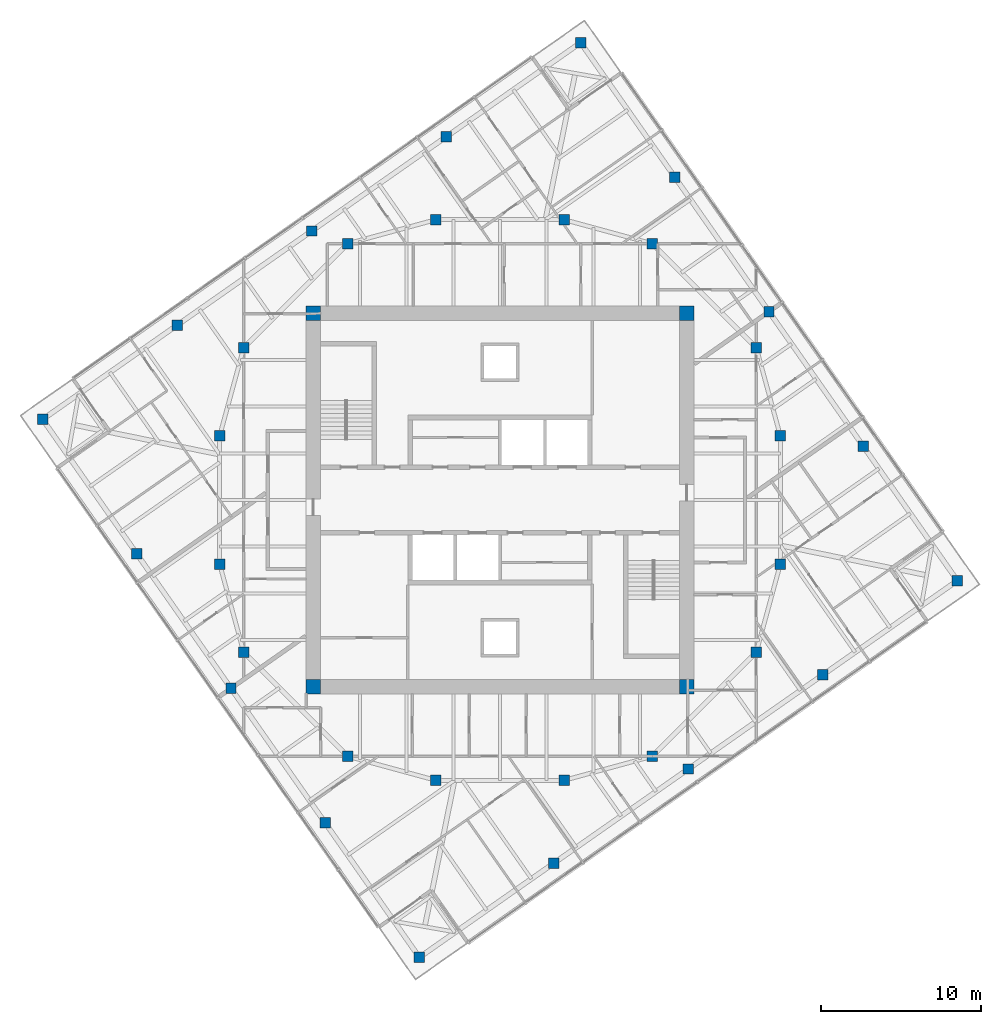
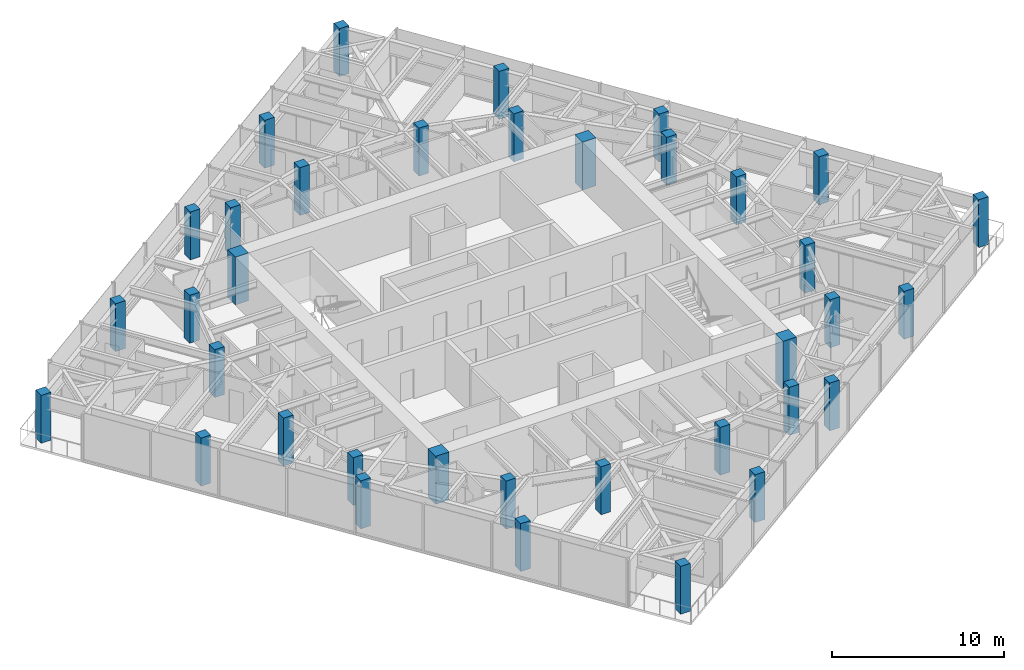
# One storey, part 1 of 12: 36 columns.
"""IFC4 building model written with IfcOpenShell, lengths in metres."""

import ifcopenshell
import ifcopenshell.guid

model = None  # the IFC model being written
_history = None  # IfcOwnerHistory: only IFC2X3 demands one
_inside = {}  # id of a spatial element -> (the spatial element, [elements in it])
_under = {}  # id of a project, library or spatial element -> (it, [spatial elements below it])
_declared = {}  # id of a project -> (the project, [libraries it declares])
_typed = {}  # id of a type object -> (the type object, [elements of that type])
_made_of = {}  # id of a material, layer set ... -> (it, [elements and type objects made of it])


def new_model(schema):
    """Start an empty IFC model of exactly this schema.

    Asked for "IFC4X3", IfcOpenShell would pick the latest addendum, in which some entities
    have other attributes; the version numbers below select the first issue.
    IFC2X3 requires an IfcOwnerHistory on every rooted entity: one is made here for all.
    """
    global model, _history
    if schema == "IFC4X3":
        model = ifcopenshell.file(schema_version=(4, 3, 0, 0))
    else:
        model = ifcopenshell.file(schema=schema)
    _inside.clear()
    _under.clear()
    _declared.clear()
    _typed.clear()
    _made_of.clear()
    _history = None
    if model.schema == "IFC2X3":
        org = make("IfcOrganization", Name="unknown")
        user = make(
            "IfcPersonAndOrganization",
            ThePerson=make("IfcPerson", FamilyName="unknown"),
            TheOrganization=org,
        )
        app = make(
            "IfcApplication",
            ApplicationDeveloper=org,
            Version="unknown",
            ApplicationFullName="unknown",
            ApplicationIdentifier="unknown",
        )
        _history = make(
            "IfcOwnerHistory",
            OwningUser=user,
            OwningApplication=app,
            ChangeAction="ADDED",
            CreationDate=0,
        )
    return model


def make(cls, **values):
    """One entity of the class cls with the attributes given. An attribute that is None is left unset."""
    return model.create_entity(
        cls, **{name: value for name, value in values.items() if value is not None}
    )


def rooted(cls, **values):
    """An entity with a GlobalId (a new one), such as an element, a storey or a relation."""
    return make(cls, GlobalId=ifcopenshell.guid.new(), OwnerHistory=_history, **values)


def si_unit(unit_type, name, prefix=None):
    """IfcSIUnit, for example si_unit("LENGTHUNIT", "METRE", prefix="MILLI")."""
    return make("IfcSIUnit", UnitType=unit_type, Prefix=prefix, Name=name)


def assignment(units):
    """IfcUnitAssignment: the units of a project."""
    return None if units is None else make("IfcUnitAssignment", Units=units)


def point(xyz):
    """IfcCartesianPoint."""
    return None if xyz is None else make("IfcCartesianPoint", Coordinates=xyz)


def direction(xyz):
    """IfcDirection."""
    return None if xyz is None else make("IfcDirection", DirectionRatios=xyz)


def frame(location, z_axis=None, x_axis=None):
    """IfcAxis2Placement3D, a coordinate frame: its origin and axes. An axis left out is left unset."""
    return make(
        "IfcAxis2Placement3D",
        Location=point(location),
        Axis=direction(z_axis),
        RefDirection=direction(x_axis),
    )


def frame_2d(location, x_axis=None):
    """IfcAxis2Placement2D, a coordinate frame in the plane: its origin and x axis."""
    return make(
        "IfcAxis2Placement2D", Location=point(location), RefDirection=direction(x_axis)
    )


def origin():
    """The frame at (0, 0, 0) with its axes left unset."""
    return frame((0.0, 0.0, 0.0))


def origin_2d():
    """The frame at (0, 0) in the plane with its x axis left unset."""
    return frame_2d((0.0, 0.0))


def place(relative_to, where):
    """IfcLocalPlacement: puts the frame where relative to a parent placement (None: the world)."""
    return make(
        "IfcLocalPlacement", PlacementRelTo=relative_to, RelativePlacement=where
    )


def context(
    kind, dimensions, precision=None, world=None, true_north=None, identifier=None
):
    """IfcGeometricRepresentationContext, for example the 3D "Model" context."""
    return make(
        "IfcGeometricRepresentationContext",
        ContextIdentifier=identifier,
        ContextType=kind,
        CoordinateSpaceDimension=dimensions,
        Precision=precision,
        WorldCoordinateSystem=world,
        TrueNorth=true_north,
    )


def subcontext(parent, identifier, kind, view, scale=None):
    """IfcGeometricRepresentationSubContext, for example "Body" below "Model"."""
    return make(
        "IfcGeometricRepresentationSubContext",
        ContextIdentifier=identifier,
        ContextType=kind,
        ParentContext=parent,
        TargetScale=scale,
        TargetView=view,
    )


def project(units=None, contexts=None):
    """IfcProject with its units and contexts."""
    return rooted(
        "IfcProject",
        Name="project",
        RepresentationContexts=contexts,
        UnitsInContext=assignment(units),
    )


def spatial(cls, under=None, at=None, **own):
    """A site, building, storey or space (cls), placed at a placement, below another one or the project."""
    s = rooted(cls, ObjectPlacement=at, **own)
    if under is not None:
        _under.setdefault(under.id(), (under, []))[1].append(s)
    return s


def profile(cls, at=None, kind="AREA", **sizes):
    """A parametric profile (cls). Its sizes go by their IFC names, for example OverallWidth=200.0."""
    return make(cls, ProfileType=kind, Position=at, **sizes)


def rectangle(**sizes):
    """IfcRectangleProfileDef."""
    return profile("IfcRectangleProfileDef", **sizes)


def extrude(swept, where, along, depth):
    """IfcExtrudedAreaSolid: the profile swept, set in the frame where, extruded along a direction by depth."""
    return make(
        "IfcExtrudedAreaSolid",
        SweptArea=swept,
        Position=where,
        ExtrudedDirection=direction(along),
        Depth=depth,
    )


def shape(context_of_items, identifier, shape_type, items):
    """IfcShapeRepresentation: the items that make up one representation, for example the "Body"."""
    return make(
        "IfcShapeRepresentation",
        ContextOfItems=context_of_items,
        RepresentationIdentifier=identifier,
        RepresentationType=shape_type,
        Items=items,
    )


def material(Name=None, Category=None):
    """IfcMaterial."""
    return make("IfcMaterial", Name=Name, Category=Category)


def material_profile(
    of_material, cross_section, Name=None, Category=None, Priority=None
):
    """IfcMaterialProfile: a cross section and its material."""
    return make(
        "IfcMaterialProfile",
        Name=Name,
        Material=of_material,
        Profile=cross_section,
        Priority=Priority,
        Category=Category,
    )


def profile_set(profiles, Name=None, composite=None):
    """IfcMaterialProfileSet."""
    return make(
        "IfcMaterialProfileSet",
        Name=Name,
        MaterialProfiles=profiles,
        CompositeProfile=composite,
    )


def made_of(thing, what):
    """Note that an element or type object is made of a material, layer set ...; save() writes the relation."""
    if what is not None:
        _made_of.setdefault(what.id(), (what, []))[1].append(thing)
    return thing


def type_object(cls, material=None, **own):
    """A type object (cls), such as IfcWallType, which elements share."""
    return made_of(rooted(cls, **own), material)


def element(
    cls,
    number,
    at=None,
    inside=None,
    cuts=None,
    type_object=None,
    material=None,
    context=None,
    identifier="Body",
    shape_type=None,
    held_by="IfcProductDefinitionShape",
    body=None,
    shapes=None,
    **own,
):
    """One element of the class cls, such as IfcWall. Its Tag is "e" and its number.

    at: its placement. inside: the storey or other place that contains it. cuts: it is an
    opening in that element (IfcRelVoidsElement). A single representation is given by context,
    identifier, shape_type and body (its items); several are given by shapes. held_by: the class
    of the entity that holds the representations. save() writes the other relations.
    """
    e = rooted(cls, Tag="e%d" % number, ObjectPlacement=at, **own)
    if body is not None:
        shapes = [shape(context, identifier, shape_type, body)]
    if shapes is not None:
        e.Representation = make(held_by, Representations=shapes)
    if inside is not None:
        _inside.setdefault(inside.id(), (inside, []))[1].append(e)
    if cuts is not None:
        rooted(
            "IfcRelVoidsElement", RelatingBuildingElement=cuts, RelatedOpeningElement=e
        )
    if type_object is not None:
        _typed.setdefault(type_object.id(), (type_object, []))[1].append(e)
    return made_of(e, material)


def aggregate(whole, parts):
    """IfcRelAggregates: a whole, such as a stair, and the parts it consists of."""
    return rooted("IfcRelAggregates", RelatingObject=whole, RelatedObjects=parts)


def save(model, path):
    """Write the relations noted so far, then the file.

    IfcRelAggregates (storeys below a building ...), IfcRelContainedInSpatialStructure (elements
    in a storey), IfcRelDefinesByType, IfcRelAssociatesMaterial and IfcRelDeclares: one each for
    every whole, place, type object, material and project.
    """
    for whole, parts in _under.values():
        aggregate(whole, parts)
    for where, things in _inside.values():
        rooted(
            "IfcRelContainedInSpatialStructure",
            RelatedElements=things,
            RelatingStructure=where,
        )
    for kind, things in _typed.values():
        rooted("IfcRelDefinesByType", RelatedObjects=things, RelatingType=kind)
    for what, things in _made_of.values():
        rooted("IfcRelAssociatesMaterial", RelatedObjects=things, RelatingMaterial=what)
    for by, libraries in _declared.values():
        rooted("IfcRelDeclares", RelatingContext=by, RelatedDefinitions=libraries)
    model.write(path)


model = new_model("IFC4")

# Units and contexts
model_context = context("Model", 3, precision=1e-05, world=origin(), true_north=direction((0.0, 1.0)))
body_context = subcontext(model_context, "Body", "Model", "MODEL_VIEW")
ifc_project = project(units=[si_unit("LENGTHUNIT", "METRE"), si_unit("AREAUNIT", "SQUARE_METRE"), si_unit("VOLUMEUNIT", "CUBIC_METRE"), si_unit("PLANEANGLEUNIT", "RADIAN"), si_unit("MASSUNIT", "GRAM", prefix="KILO")], contexts=[model_context])

# Site, building, storey
site_placement = place(None, origin())
site = spatial("IfcSite", under=ifc_project, at=site_placement, CompositionType="ELEMENT")
building_placement = place(site_placement, origin())
building = spatial("IfcBuilding", under=site, at=building_placement, Name="Torsade Residences", CompositionType="ELEMENT")
storey_placement = place(building_placement, frame((0.0, 0.0, 257.39990234375)))
storey = spatial("IfcBuildingStorey", under=building, at=storey_placement, Name="L71", CompositionType="ELEMENT", Elevation=257.39990234375)

# Columns
ifc_material_1 = material(Name="Concrete 80 MPa", Category="concrete")
ifc_material_profile_1 = material_profile(ifc_material_1, rectangle(XDim=0.89990234375, YDim=0.89990234375, at=origin_2d()), Name="RC 900x900")
ifc_profile_set_1 = profile_set([ifc_material_profile_1], Name="Concrete 80 MPa")
column_type_1 = type_object("IfcColumnType", Name="CORE CORNER COLUMN RC 900x900", PredefinedType="COLUMN", material=ifc_profile_set_1)
for number, where, z_axis, x_axis, name in (
    (1, (28.35009765625, 18.35009765625, 0.0), (0.0, 0.0, 1.0), (1.0, 0.0, 0.0), "Core corner column CC1 L71"),
    (2, (51.64990234375, 18.35009765625, 0.0), (0.0, 0.0, 1.0), (1.0, 0.0, 0.0), "Core corner column CC2 L71"),
    (3, (51.64990234375, 41.64990234375, 0.0), (0.0, 0.0, 1.0), (1.0, 0.0, 0.0), "Core corner column CC3 L71"),
    (4, (28.35009765625, 41.64990234375, 0.0), (0.0, 0.0, 1.0), (1.0, 0.0, 0.0), "Core corner column CC4 L71"),
):
    element("IfcColumn", number, at=place(storey_placement, frame(where, z_axis=z_axis, x_axis=x_axis)), inside=storey, type_object=column_type_1, Name=name, PredefinedType="COLUMN", context=body_context, shape_type="SweptSolid", body=[
        extrude(rectangle(XDim=0.89990234375, YDim=0.89990234375, at=origin_2d()), origin(), (0.0, 0.0, 1.0), 3.400146484375),
    ])
ifc_material_2 = material(Name="Concrete 80 MPa", Category="concrete")
ifc_material_profile_2 = material_profile(ifc_material_2, rectangle(XDim=0.64990234375, YDim=0.64990234375, at=origin_2d()), Name="RC 650x650")
ifc_profile_set_2 = profile_set([ifc_material_profile_2], Name="Concrete 80 MPa")
column_type_2 = type_object("IfcColumnType", Name="INNER RING COLUMN RC 650x650", PredefinedType="COLUMN", material=ifc_profile_set_2)
for number, where, z_axis, x_axis, name in (
    (5, (57.5, 26.0, 0.0), (0.0, 0.0, 1.0), (1.0, 0.0, 0.0), "Inner ring column IR01 L71"),
    (6, (57.5, 34.0, 0.0), (0.0, 0.0, 1.0), (1.0, 0.0, 0.0), "Inner ring column IR02 L71"),
    (7, (56.0, 39.5, 0.0), (0.0, 0.0, 1.0), (1.0, 0.0, 0.0), "Inner ring column IR03 L71"),
    (8, (49.5, 46.0, 0.0), (0.0, 0.0, 1.0), (1.0, 0.0, 0.0), "Inner ring column IR04 L71"),
    (9, (44.0, 47.5, 0.0), (0.0, 0.0, 1.0), (1.0, 0.0, 0.0), "Inner ring column IR05 L71"),
    (10, (36.0, 47.5, 0.0), (0.0, 0.0, 1.0), (1.0, 0.0, 0.0), "Inner ring column IR06 L71"),
    (11, (30.5, 46.0, 0.0), (0.0, 0.0, 1.0), (1.0, 0.0, 0.0), "Inner ring column IR07 L71"),
    (12, (24.0, 39.5, 0.0), (0.0, 0.0, 1.0), (1.0, 0.0, 0.0), "Inner ring column IR08 L71"),
    (13, (22.5, 34.0, 0.0), (0.0, 0.0, 1.0), (1.0, 0.0, 0.0), "Inner ring column IR09 L71"),
    (14, (22.5, 26.0, 0.0), (0.0, 0.0, 1.0), (1.0, 0.0, 0.0), "Inner ring column IR10 L71"),
    (15, (24.0, 20.5, 0.0), (0.0, 0.0, 1.0), (1.0, 0.0, 0.0), "Inner ring column IR11 L71"),
    (16, (30.5, 14.0, 0.0), (0.0, 0.0, 1.0), (1.0, 0.0, 0.0), "Inner ring column IR12 L71"),
    (17, (36.0, 12.5, 0.0), (0.0, 0.0, 1.0), (1.0, 0.0, 0.0), "Inner ring column IR13 L71"),
    (18, (44.0, 12.5, 0.0), (0.0, 0.0, 1.0), (1.0, 0.0, 0.0), "Inner ring column IR14 L71"),
    (19, (49.5, 14.0, 0.0), (0.0, 0.0, 1.0), (1.0, 0.0, 0.0), "Inner ring column IR15 L71"),
    (20, (56.0, 20.5, 0.0), (0.0, 0.0, 1.0), (1.0, 0.0, 0.0), "Inner ring column IR16 L71"),
):
    element("IfcColumn", number, at=place(storey_placement, frame(where, z_axis=z_axis, x_axis=x_axis)), inside=storey, type_object=column_type_2, Name=name, PredefinedType="COLUMN", context=body_context, shape_type="SweptSolid", body=[
        extrude(rectangle(XDim=0.64990234375, YDim=0.64990234375, at=origin_2d()), origin(), (0.0, 0.0, 1.0), 3.400146484375),
    ])
ifc_material_3 = material(Name="Concrete 80 MPa", Category="concrete")
ifc_material_profile_3 = material_profile(ifc_material_3, rectangle(XDim=0.64990234375, YDim=0.64990234375, at=origin_2d()), Name="RC 650x650")
ifc_profile_set_3 = profile_set([ifc_material_profile_3], Name="Concrete 80 MPa")
column_type_3 = type_object("IfcColumnType", Name="TOWER COLUMN RC 650x650", PredefinedType="COLUMN", material=ifc_profile_set_3)
for number, where, z_axis, x_axis, name in (
    (21, (34.9658203125, 1.448974609375, 0.0), (0.0, 0.0, 1.0), (1.0, 0.0, 0.0), "Column TC8-01 L71"),
    (22, (43.362060546875, 7.328125, 0.0), (0.0, 0.0, 1.0), (1.0, 0.0, 0.0), "Column TC8-02 L71"),
    (23, (51.75830078125, 13.207275390625, 0.0), (0.0, 0.0, 1.0), (1.0, 0.0, 0.0), "Column TC8-03 L71"),
    (24, (60.154541015625, 19.08642578125, 0.0), (0.0, 0.0, 1.0), (1.0, 0.0, 0.0), "Column TC8-04 L71"),
    (25, (68.551025390625, 24.9658203125, 0.0), (0.0, 0.0, 1.0), (1.0, 0.0, 0.0), "Column TC8-05 L71"),
    (26, (62.671875, 33.362060546875, 0.0), (0.0, 0.0, 1.0), (1.0, 0.0, 0.0), "Column TC8-06 L71"),
    (27, (56.792724609375, 41.75830078125, 0.0), (0.0, 0.0, 1.0), (1.0, 0.0, 0.0), "Column TC8-07 L71"),
    (28, (50.91357421875, 50.154541015625, 0.0), (0.0, 0.0, 1.0), (1.0, 0.0, 0.0), "Column TC8-08 L71"),
    (29, (45.0341796875, 58.551025390625, 0.0), (0.0, 0.0, 1.0), (1.0, 0.0, 0.0), "Column TC8-09 L71"),
    (30, (36.637939453125, 52.671875, 0.0), (0.0, 0.0, 1.0), (1.0, 0.0, 0.0), "Column TC8-10 L71"),
    (31, (28.24169921875, 46.792724609375, 0.0), (0.0, 0.0, 1.0), (1.0, 0.0, 0.0), "Column TC8-11 L71"),
    (32, (19.845458984375, 40.91357421875, 0.0), (0.0, 0.0, 1.0), (1.0, 0.0, 0.0), "Column TC8-12 L71"),
    (33, (11.448974609375, 35.0341796875, 0.0), (0.0, 0.0, 1.0), (1.0, 0.0, 0.0), "Column TC8-13 L71"),
    (34, (17.328125, 26.637939453125, 0.0), (0.0, 0.0, 1.0), (1.0, 0.0, 0.0), "Column TC8-14 L71"),
    (35, (23.207275390625, 18.24169921875, 0.0), (0.0, 0.0, 1.0), (1.0, 0.0, 0.0), "Column TC8-15 L71"),
    (36, (29.08642578125, 9.845458984375, 0.0), (0.0, 0.0, 1.0), (1.0, 0.0, 0.0), "Column TC8-16 L71"),
):
    element("IfcColumn", number, at=place(storey_placement, frame(where, z_axis=z_axis, x_axis=x_axis)), inside=storey, type_object=column_type_3, Name=name, PredefinedType="COLUMN", context=body_context, shape_type="SweptSolid", body=[
        extrude(rectangle(XDim=0.64990234375, YDim=0.64990234375, at=origin_2d()), origin(), (0.0, 0.0, 1.0), 3.400146484375),
    ])

save(model, "model.ifc")
